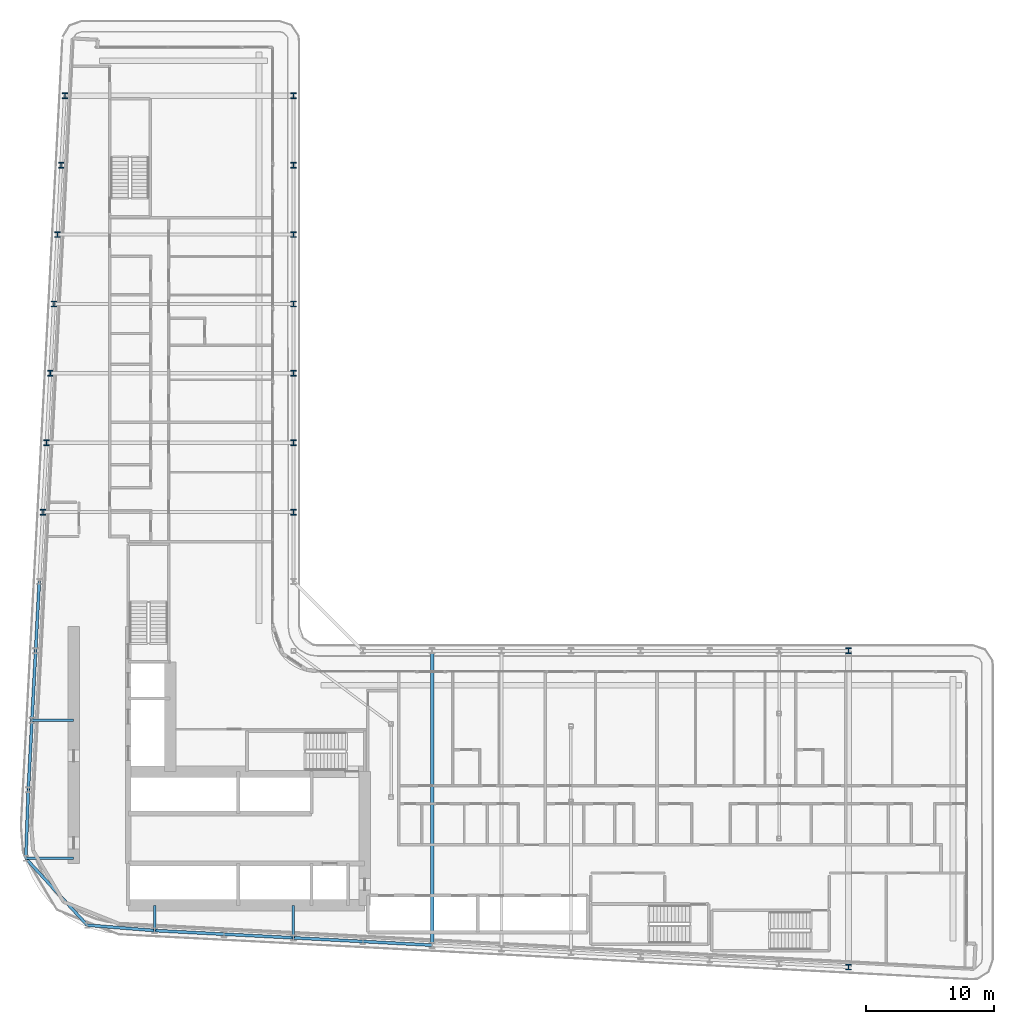
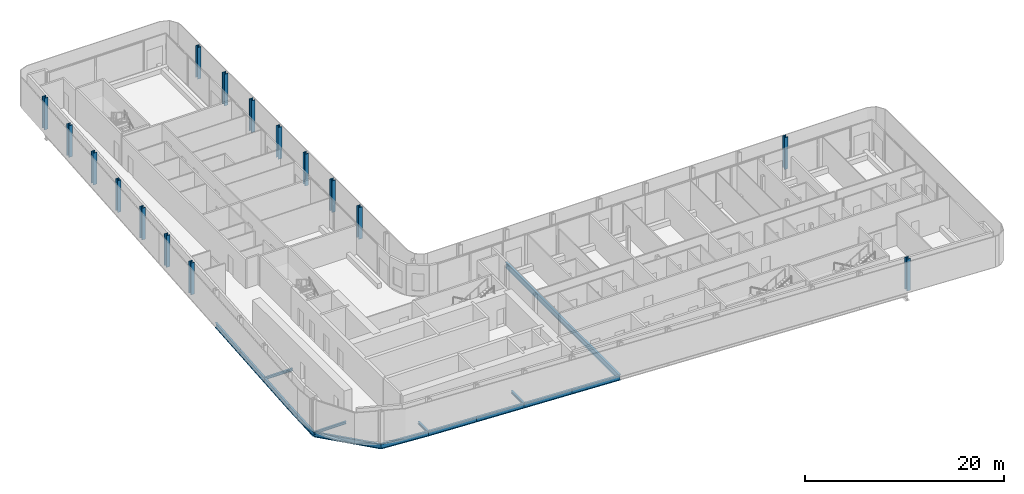
# One storey, part 3 of 25: 16 columns, 15 beams.
"""IFC4 building model written with IfcOpenShell, lengths in metres."""

from ifc_helpers import new_model, si_unit, direction, frame, origin, origin_2d, place, context, subcontext, project, spatial, i_section, extrude, material, material_profile, profile_set, type_object, element, save


model = new_model("IFC4")

# Units and contexts
model_context = context("Model", 3, precision=1e-05, world=origin(), true_north=direction((0.0, 1.0)))
body_context = subcontext(model_context, "Body", "Model", "MODEL_VIEW")
ifc_project = project(units=[si_unit("LENGTHUNIT", "METRE"), si_unit("AREAUNIT", "SQUARE_METRE"), si_unit("VOLUMEUNIT", "CUBIC_METRE"), si_unit("PLANEANGLEUNIT", "RADIAN"), si_unit("MASSUNIT", "GRAM", prefix="KILO")], contexts=[model_context])

# Site, building, storey
site_placement = place(None, origin())
site = spatial("IfcSite", under=ifc_project, at=site_placement, CompositionType="ELEMENT")
building_placement = place(site_placement, origin())
building = spatial("IfcBuilding", under=site, at=building_placement, Name="Kheshtan School and Residences Tower", CompositionType="ELEMENT")
storey_placement = place(building_placement, frame((0.0, 0.0, 113.60009765625)))
storey = spatial("IfcBuildingStorey", under=building, at=storey_placement, Name="L26", CompositionType="ELEMENT", Elevation=113.60009765625)

# Columns
ifc_material = material(Name="Steel ASTM A992 Grade 50", Category="steel")
ifc_material_profile_1 = material_profile(ifc_material, i_section(OverallWidth=0.41796875, OverallDepth=0.455078125, WebThickness=0.042236328125, FlangeThickness=0.067626953125, FilletRadius=0.013671875, at=origin_2d()), Name="W360x551")
ifc_profile_set_1 = profile_set([ifc_material_profile_1], Name="Steel ASTM A992 Grade 50")
column_type = type_object("IfcColumnType", Name="Column C2 W360x551 ASTM A992 Grade 50", PredefinedType="COLUMN", material=ifc_profile_set_1)
for number, where, z_axis, x_axis, name in (
    (1, (90.800048828125, 20.989990234375, 0.0), (0.0, 0.0, 1.0), (1.0, 0.0, 0.0), "Column C006"),
    (2, (90.800048828125, 45.60009765625, 0.0), (0.0, 0.0, 1.0), (1.0, 0.0, 0.0), "Column C068"),
    (3, (28.10595703125, 56.39990234375, 0.0), (0.0, 0.0, 1.0), (1.0, 0.0, 0.0), "Column C080"),
    (4, (47.60009765625, 56.39990234375, 0.0), (0.0, 0.0, 1.0), (1.0, 0.0, 0.0), "Column C081"),
    (5, (28.389892578125, 61.800048828125, 0.0), (0.0, 0.0, 1.0), (1.0, 0.0, 0.0), "Column C082"),
    (6, (47.60009765625, 61.800048828125, 0.0), (0.0, 0.0, 1.0), (1.0, 0.0, 0.0), "Column C083"),
    (7, (28.674072265625, 67.199951171875, 0.0), (0.0, 0.0, 1.0), (1.0, 0.0, 0.0), "Column C084"),
    (8, (47.60009765625, 67.199951171875, 0.0), (0.0, 0.0, 1.0), (1.0, 0.0, 0.0), "Column C085"),
    (9, (28.9580078125, 72.60009765625, 0.0), (0.0, 0.0, 1.0), (1.0, 0.0, 0.0), "Column C086"),
    (10, (47.60009765625, 72.60009765625, 0.0), (0.0, 0.0, 1.0), (1.0, 0.0, 0.0), "Column C087"),
    (11, (29.242919921875, 78.0, 0.0), (0.0, 0.0, 1.0), (1.0, 0.0, 0.0), "Column C088"),
    (12, (47.60009765625, 78.0, 0.0), (0.0, 0.0, 1.0), (1.0, 0.0, 0.0), "Column C089"),
    (13, (29.527099609375, 83.39990234375, 0.0), (0.0, 0.0, 1.0), (1.0, 0.0, 0.0), "Column C090"),
    (14, (47.60009765625, 83.39990234375, 0.0), (0.0, 0.0, 1.0), (1.0, 0.0, 0.0), "Column C091"),
    (15, (29.81103515625, 88.800048828125, 0.0), (0.0, 0.0, 1.0), (1.0, 0.0, 0.0), "Column C098"),
    (16, (47.60009765625, 88.800048828125, 0.0), (0.0, 0.0, 1.0), (1.0, 0.0, 0.0), "Column C099"),
):
    element("IfcColumn", number, at=place(storey_placement, frame(where, z_axis=z_axis, x_axis=x_axis)), inside=storey, type_object=column_type, Name=name, PredefinedType="COLUMN", context=body_context, shape_type="SweptSolid", body=[
        extrude(i_section(OverallWidth=0.41796875, OverallDepth=0.455078125, WebThickness=0.042236328125, FlangeThickness=0.067626953125, FilletRadius=0.013671875, at=origin_2d()), origin(), (0.0, 0.0, 1.0), 3.89990234375),
    ])

# Beams
ifc_material_profile_2 = material_profile(ifc_material, i_section(OverallWidth=0.202880859375, OverallDepth=0.302978515625, WebThickness=0.007568359375, FlangeThickness=0.01318359375, FilletRadius=0.009033203125, at=origin_2d()), Name="W310x60")
ifc_profile_set_2 = profile_set([ifc_material_profile_2], Name="Steel ASTM A992 Grade 50")
beam_type_1 = type_object("IfcBeamType", Name="Beam FB1 W310x60 ASTM A992 Grade 50", PredefinedType="BEAM", material=ifc_profile_set_2)
beam_1_placement = place(storey_placement, frame((47.60009765625, 23.263916015625, -0.301513671875), z_axis=(0.0, 1.0, 0.0), x_axis=(-1.0, 0.0, 0.0)))
element("IfcBeam", 17, at=beam_1_placement, inside=storey, type_object=beam_type_1, Name="Floor beam C020", PredefinedType="BEAM", context=body_context, shape_type="SweptSolid", body=[
    extrude(i_section(OverallWidth=0.202880859375, OverallDepth=0.302978515625, WebThickness=0.007568359375, FlangeThickness=0.01318359375, FilletRadius=0.009033203125, at=origin_2d()), origin(), (0.0, 0.0, 1.0), 2.5361328125),
])
beam_2_placement = place(storey_placement, frame((36.800048828125, 23.83203125, -0.301513671875), z_axis=(0.0, 1.0, 0.0), x_axis=(-1.0, 0.0, 0.0)))
element("IfcBeam", 18, at=beam_2_placement, inside=storey, type_object=beam_type_1, Name="Floor beam C022", PredefinedType="BEAM", context=body_context, shape_type="SweptSolid", body=[
    extrude(i_section(OverallWidth=0.202880859375, OverallDepth=0.302978515625, WebThickness=0.007568359375, FlangeThickness=0.01318359375, FilletRadius=0.009033203125, at=origin_2d()), origin(), (0.0, 0.0, 1.0), 1.968017578125),
])
beam_3_placement = place(storey_placement, frame((26.77197265625, 29.449951171875, -0.301513671875), z_axis=(1.0, 0.0, 0.0), x_axis=(0.0, 1.0, 0.0)))
element("IfcBeam", 19, at=beam_3_placement, inside=storey, type_object=beam_type_1, Name="Floor beam C037", PredefinedType="BEAM", context=body_context, shape_type="SweptSolid", body=[
    extrude(i_section(OverallWidth=0.202880859375, OverallDepth=0.302978515625, WebThickness=0.007568359375, FlangeThickness=0.01318359375, FilletRadius=0.009033203125, at=origin_2d()), origin(), (0.0, 0.0, 1.0), 3.72802734375),
])
beam_4_placement = place(storey_placement, frame((27.2529296875, 40.199951171875, -0.301513671875), z_axis=(1.0, 0.0, 0.0), x_axis=(0.0, 1.0, 0.0)))
element("IfcBeam", 20, at=beam_4_placement, inside=storey, type_object=beam_type_1, Name="Floor beam C056", PredefinedType="BEAM", context=body_context, shape_type="SweptSolid", body=[
    extrude(i_section(OverallWidth=0.202880859375, OverallDepth=0.302978515625, WebThickness=0.007568359375, FlangeThickness=0.01318359375, FilletRadius=0.009033203125, at=origin_2d()), origin(), (0.0, 0.0, 1.0), 3.2470703125),
])
ifc_material_profile_3 = material_profile(ifc_material, i_section(OverallWidth=0.2529296875, OverallDepth=0.677978515625, WebThickness=0.01171875, FlangeThickness=0.016357421875, FilletRadius=0.0146484375, at=origin_2d()), Name="W690x125")
ifc_profile_set_3 = profile_set([ifc_material_profile_3], Name="Steel ASTM A992 Grade 50")
beam_type_2 = type_object("IfcBeamType", Name="Beam FB6 W690x125 ASTM A992 Grade 50", PredefinedType="BEAM", material=ifc_profile_set_3)
beam_5_placement = place(storey_placement, frame((58.39990234375, 22.695068359375, -0.489013671875), z_axis=(0.0, 1.0, 0.0), x_axis=(-1.0, 0.0, 0.0)))
element("IfcBeam", 21, at=beam_5_placement, inside=storey, type_object=beam_type_2, Name="Floor beam C018", PredefinedType="BEAM", context=body_context, shape_type="SweptSolid", body=[
    extrude(i_section(OverallWidth=0.2529296875, OverallDepth=0.677978515625, WebThickness=0.01171875, FlangeThickness=0.016357421875, FilletRadius=0.0146484375, at=origin_2d()), origin(), (0.0, 0.0, 1.0), 22.905029296875),
])
ifc_material_profile_4 = material_profile(ifc_material, i_section(OverallWidth=0.22802734375, OverallDepth=0.60302734375, WebThickness=0.010498046875, FlangeThickness=0.014892578125, FilletRadius=0.013427734375, at=origin_2d()), Name="W610x101")
ifc_profile_set_4 = profile_set([ifc_material_profile_4], Name="Steel ASTM A992 Grade 50")
beam_type_3 = type_object("IfcBeamType", Name="Beam SP2 W610x101 ASTM A992 Grade 50", PredefinedType="BEAM", material=ifc_profile_set_4)
for number, where, z_axis, x_axis, name in (
    (22, (58.39990234375, 22.695068359375, -0.45166015625), (-0.998610961136, 0.052689166816, 0.0), (-0.052689166816, -0.998610961136, 0.0), "Spandrel beam C018-C019"),
    (23, (53.0, 22.97998046875, -0.45166015625), (-0.998620447272, 0.05250906864, 0.0), (-0.05250906864, -0.998620447272, 0.0), "Spandrel beam C019-C020"),
):
    element("IfcBeam", number, at=place(storey_placement, frame(where, z_axis=z_axis, x_axis=x_axis)), inside=storey, type_object=beam_type_3, Name=name, PredefinedType="BEAM", context=body_context, shape_type="SweptSolid", body=[
        extrude(i_section(OverallWidth=0.22802734375, OverallDepth=0.60302734375, WebThickness=0.010498046875, FlangeThickness=0.014892578125, FilletRadius=0.013427734375, at=origin_2d()), origin(), (0.0, 0.0, 1.0), 5.407470703125),
    ])
beam_6_placement = place(storey_placement, frame((47.60009765625, 23.263916015625, -0.45166015625), z_axis=(-0.998618203458, 0.052551724256, 0.0), x_axis=(-0.052551724256, -0.998618203458, 0.0)))
element("IfcBeam", 24, at=beam_6_placement, inside=storey, type_object=beam_type_3, Name="Spandrel beam C020-C021", PredefinedType="BEAM", context=body_context, shape_type="SweptSolid", body=[
    extrude(i_section(OverallWidth=0.22802734375, OverallDepth=0.60302734375, WebThickness=0.010498046875, FlangeThickness=0.014892578125, FilletRadius=0.013427734375, at=origin_2d()), origin(), (0.0, 0.0, 1.0), 5.40771484375),
])
beam_7_placement = place(storey_placement, frame((42.199951171875, 23.548095703125, -0.45166015625), z_axis=(-0.998620447272, 0.05250906864, 0.0), x_axis=(-0.05250906864, -0.998620447272, 0.0)))
element("IfcBeam", 25, at=beam_7_placement, inside=storey, type_object=beam_type_3, Name="Spandrel beam C021-C022", PredefinedType="BEAM", context=body_context, shape_type="SweptSolid", body=[
    extrude(i_section(OverallWidth=0.22802734375, OverallDepth=0.60302734375, WebThickness=0.010498046875, FlangeThickness=0.014892578125, FilletRadius=0.013427734375, at=origin_2d()), origin(), (0.0, 0.0, 1.0), 5.407470703125),
])
beam_8_placement = place(storey_placement, frame((36.800048828125, 23.83203125, -0.45166015625), z_axis=(-0.996847030951, 0.079347318067, 0.0), x_axis=(-0.079347318067, -0.996847030951, 0.0)))
element("IfcBeam", 26, at=beam_8_placement, inside=storey, type_object=beam_type_3, Name="Spandrel beam C022-C024", PredefinedType="BEAM", context=body_context, shape_type="SweptSolid", body=[
    extrude(i_section(OverallWidth=0.22802734375, OverallDepth=0.60302734375, WebThickness=0.010498046875, FlangeThickness=0.014892578125, FilletRadius=0.013427734375, at=origin_2d()), origin(), (0.0, 0.0, 1.0), 5.267578125),
])
beam_9_placement = place(storey_placement, frame((31.549072265625, 24.25, -0.45166015625), z_axis=(-0.676530541183, 0.73641457539, 0.0), x_axis=(-0.73641457539, -0.676530541183, 0.0)))
element("IfcBeam", 27, at=beam_9_placement, inside=storey, type_object=beam_type_3, Name="Spandrel beam C024-C037", PredefinedType="BEAM", context=body_context, shape_type="SweptSolid", body=[
    extrude(i_section(OverallWidth=0.22802734375, OverallDepth=0.60302734375, WebThickness=0.010498046875, FlangeThickness=0.014892578125, FilletRadius=0.013427734375, at=origin_2d()), origin(), (0.0, 0.0, 1.0), 7.061279296875),
])
beam_10_placement = place(storey_placement, frame((26.77197265625, 29.449951171875, -0.45166015625), z_axis=(0.036800828439, 0.999322620091, 0.0), x_axis=(-0.999322620091, 0.036800828439, 0.0)))
element("IfcBeam", 28, at=beam_10_placement, inside=storey, type_object=beam_type_3, Name="Spandrel beam C037-C052", PredefinedType="BEAM", context=body_context, shape_type="SweptSolid", body=[
    extrude(i_section(OverallWidth=0.22802734375, OverallDepth=0.60302734375, WebThickness=0.010498046875, FlangeThickness=0.014892578125, FilletRadius=0.013427734375, at=origin_2d()), origin(), (0.0, 0.0, 1.0), 5.353759765625),
])
beam_11_placement = place(storey_placement, frame((26.968994140625, 34.800048828125, -0.45166015625), z_axis=(0.05250906864, 0.998620447272, 0.0), x_axis=(-0.998620447272, 0.05250906864, 0.0)))
element("IfcBeam", 29, at=beam_11_placement, inside=storey, type_object=beam_type_3, Name="Spandrel beam C052-C056", PredefinedType="BEAM", context=body_context, shape_type="SweptSolid", body=[
    extrude(i_section(OverallWidth=0.22802734375, OverallDepth=0.60302734375, WebThickness=0.010498046875, FlangeThickness=0.014892578125, FilletRadius=0.013427734375, at=origin_2d()), origin(), (0.0, 0.0, 1.0), 5.407470703125),
])
beam_12_placement = place(storey_placement, frame((27.2529296875, 40.199951171875, -0.45166015625), z_axis=(0.052551724256, 0.998618203458, 0.0), x_axis=(-0.998618203458, 0.052551724256, 0.0)))
element("IfcBeam", 30, at=beam_12_placement, inside=storey, type_object=beam_type_3, Name="Spandrel beam C056-C059", PredefinedType="BEAM", context=body_context, shape_type="SweptSolid", body=[
    extrude(i_section(OverallWidth=0.22802734375, OverallDepth=0.60302734375, WebThickness=0.010498046875, FlangeThickness=0.014892578125, FilletRadius=0.013427734375, at=origin_2d()), origin(), (0.0, 0.0, 1.0), 5.40771484375),
])
beam_13_placement = place(storey_placement, frame((27.537109375, 45.60009765625, -0.45166015625), z_axis=(0.052689166816, 0.998610961136, 0.0), x_axis=(-0.998610961136, 0.052689166816, 0.0)))
element("IfcBeam", 31, at=beam_13_placement, inside=storey, type_object=beam_type_3, Name="Spandrel beam C059-C078", PredefinedType="BEAM", context=body_context, shape_type="SweptSolid", body=[
    extrude(i_section(OverallWidth=0.22802734375, OverallDepth=0.60302734375, WebThickness=0.010498046875, FlangeThickness=0.014892578125, FilletRadius=0.013427734375, at=origin_2d()), origin(), (0.0, 0.0, 1.0), 5.407470703125),
])

save(model, "model.ifc")
